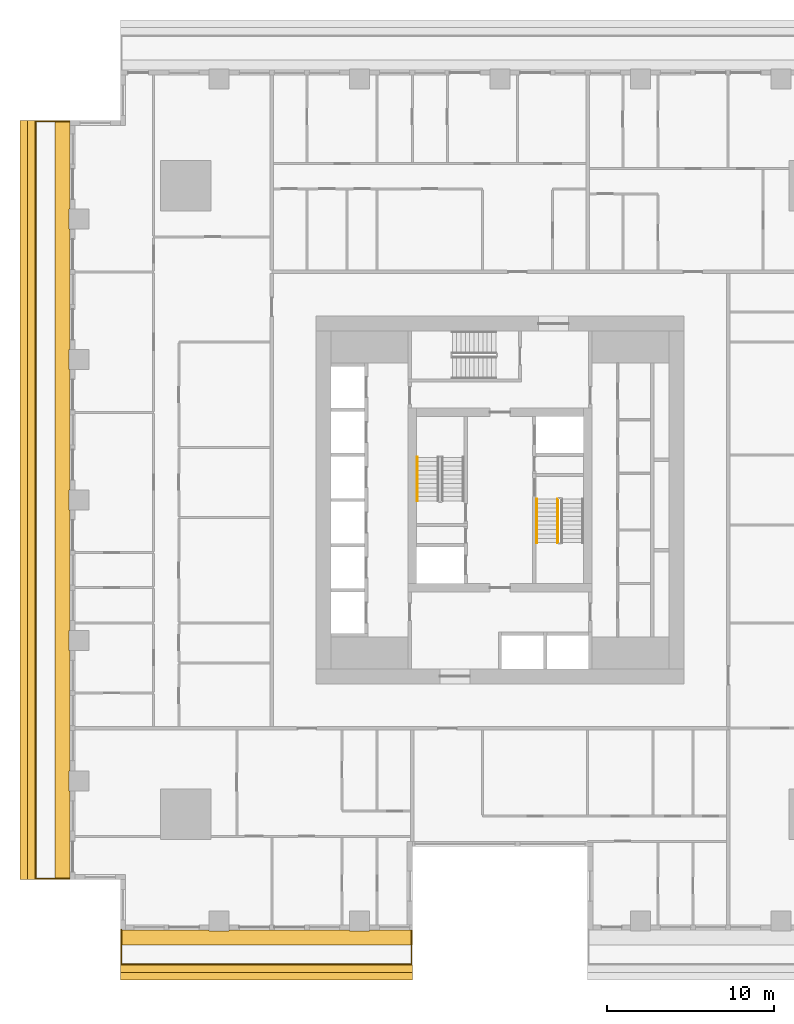
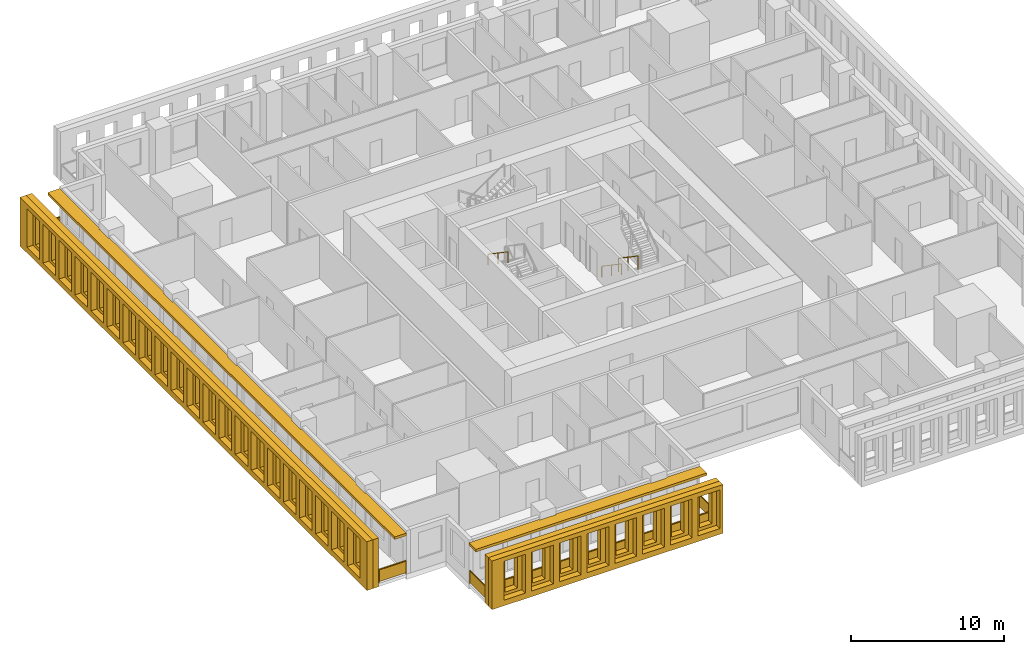
# One storey, part 11 of 15: 6 shading devices, 5 railings.
"""IFC4 building model written with IfcOpenShell, lengths in metres."""

import ifcopenshell
import ifcopenshell.guid

model = None  # the IFC model being written
_history = None  # IfcOwnerHistory: only IFC2X3 demands one
_inside = {}  # id of a spatial element -> (the spatial element, [elements in it])
_under = {}  # id of a project, library or spatial element -> (it, [spatial elements below it])
_declared = {}  # id of a project -> (the project, [libraries it declares])
_typed = {}  # id of a type object -> (the type object, [elements of that type])
_made_of = {}  # id of a material, layer set ... -> (it, [elements and type objects made of it])


def new_model(schema):
    """Start an empty IFC model of exactly this schema.

    Asked for "IFC4X3", IfcOpenShell would pick the latest addendum, in which some entities
    have other attributes; the version numbers below select the first issue.
    IFC2X3 requires an IfcOwnerHistory on every rooted entity: one is made here for all.
    """
    global model, _history
    if schema == "IFC4X3":
        model = ifcopenshell.file(schema_version=(4, 3, 0, 0))
    else:
        model = ifcopenshell.file(schema=schema)
    _inside.clear()
    _under.clear()
    _declared.clear()
    _typed.clear()
    _made_of.clear()
    _history = None
    if model.schema == "IFC2X3":
        org = make("IfcOrganization", Name="unknown")
        user = make(
            "IfcPersonAndOrganization",
            ThePerson=make("IfcPerson", FamilyName="unknown"),
            TheOrganization=org,
        )
        app = make(
            "IfcApplication",
            ApplicationDeveloper=org,
            Version="unknown",
            ApplicationFullName="unknown",
            ApplicationIdentifier="unknown",
        )
        _history = make(
            "IfcOwnerHistory",
            OwningUser=user,
            OwningApplication=app,
            ChangeAction="ADDED",
            CreationDate=0,
        )
    return model


def make(cls, **values):
    """One entity of the class cls with the attributes given. An attribute that is None is left unset."""
    return model.create_entity(
        cls, **{name: value for name, value in values.items() if value is not None}
    )


def rooted(cls, **values):
    """An entity with a GlobalId (a new one), such as an element, a storey or a relation."""
    return make(cls, GlobalId=ifcopenshell.guid.new(), OwnerHistory=_history, **values)


def si_unit(unit_type, name, prefix=None):
    """IfcSIUnit, for example si_unit("LENGTHUNIT", "METRE", prefix="MILLI")."""
    return make("IfcSIUnit", UnitType=unit_type, Prefix=prefix, Name=name)


def assignment(units):
    """IfcUnitAssignment: the units of a project."""
    return None if units is None else make("IfcUnitAssignment", Units=units)


def point(xyz):
    """IfcCartesianPoint."""
    return None if xyz is None else make("IfcCartesianPoint", Coordinates=xyz)


def direction(xyz):
    """IfcDirection."""
    return None if xyz is None else make("IfcDirection", DirectionRatios=xyz)


def frame(location, z_axis=None, x_axis=None):
    """IfcAxis2Placement3D, a coordinate frame: its origin and axes. An axis left out is left unset."""
    return make(
        "IfcAxis2Placement3D",
        Location=point(location),
        Axis=direction(z_axis),
        RefDirection=direction(x_axis),
    )


def frame_2d(location, x_axis=None):
    """IfcAxis2Placement2D, a coordinate frame in the plane: its origin and x axis."""
    return make(
        "IfcAxis2Placement2D", Location=point(location), RefDirection=direction(x_axis)
    )


def origin():
    """The frame at (0, 0, 0) with its axes left unset."""
    return frame((0.0, 0.0, 0.0))


def origin_2d():
    """The frame at (0, 0) in the plane with its x axis left unset."""
    return frame_2d((0.0, 0.0))


def place(relative_to, where):
    """IfcLocalPlacement: puts the frame where relative to a parent placement (None: the world)."""
    return make(
        "IfcLocalPlacement", PlacementRelTo=relative_to, RelativePlacement=where
    )


def context(
    kind, dimensions, precision=None, world=None, true_north=None, identifier=None
):
    """IfcGeometricRepresentationContext, for example the 3D "Model" context."""
    return make(
        "IfcGeometricRepresentationContext",
        ContextIdentifier=identifier,
        ContextType=kind,
        CoordinateSpaceDimension=dimensions,
        Precision=precision,
        WorldCoordinateSystem=world,
        TrueNorth=true_north,
    )


def subcontext(parent, identifier, kind, view, scale=None):
    """IfcGeometricRepresentationSubContext, for example "Body" below "Model"."""
    return make(
        "IfcGeometricRepresentationSubContext",
        ContextIdentifier=identifier,
        ContextType=kind,
        ParentContext=parent,
        TargetScale=scale,
        TargetView=view,
    )


def project(units=None, contexts=None):
    """IfcProject with its units and contexts."""
    return rooted(
        "IfcProject",
        Name="project",
        RepresentationContexts=contexts,
        UnitsInContext=assignment(units),
    )


def spatial(cls, under=None, at=None, **own):
    """A site, building, storey or space (cls), placed at a placement, below another one or the project."""
    s = rooted(cls, ObjectPlacement=at, **own)
    if under is not None:
        _under.setdefault(under.id(), (under, []))[1].append(s)
    return s


def polyline(points):
    """IfcPolyline through the points."""
    return make("IfcPolyline", Points=[point(p) for p in points])


def profile(cls, at=None, kind="AREA", **sizes):
    """A parametric profile (cls). Its sizes go by their IFC names, for example OverallWidth=200.0."""
    return make(cls, ProfileType=kind, Position=at, **sizes)


def rectangle(**sizes):
    """IfcRectangleProfileDef."""
    return profile("IfcRectangleProfileDef", **sizes)


def outline(outer, holes=None, kind="AREA"):
    """IfcArbitraryClosedProfileDef: a profile drawn as a closed curve; with holes, ...WithVoids."""
    if holes is None:
        return make("IfcArbitraryClosedProfileDef", ProfileType=kind, OuterCurve=outer)
    return make(
        "IfcArbitraryProfileDefWithVoids",
        ProfileType=kind,
        OuterCurve=outer,
        InnerCurves=holes,
    )


def extrude(swept, where, along, depth):
    """IfcExtrudedAreaSolid: the profile swept, set in the frame where, extruded along a direction by depth."""
    return make(
        "IfcExtrudedAreaSolid",
        SweptArea=swept,
        Position=where,
        ExtrudedDirection=direction(along),
        Depth=depth,
    )


def shape(context_of_items, identifier, shape_type, items):
    """IfcShapeRepresentation: the items that make up one representation, for example the "Body"."""
    return make(
        "IfcShapeRepresentation",
        ContextOfItems=context_of_items,
        RepresentationIdentifier=identifier,
        RepresentationType=shape_type,
        Items=items,
    )


def material(Name=None, Category=None):
    """IfcMaterial."""
    return make("IfcMaterial", Name=Name, Category=Category)


def layer(
    of_material, thickness, ventilated=None, Name=None, Category=None, Priority=None
):
    """IfcMaterialLayer: one layer of a wall or slab, of a material (None: an air gap)."""
    return make(
        "IfcMaterialLayer",
        Material=of_material,
        LayerThickness=thickness,
        IsVentilated=ventilated,
        Name=Name,
        Category=Category,
        Priority=Priority,
    )


def layer_set(layers, Name=None):
    """IfcMaterialLayerSet."""
    return make("IfcMaterialLayerSet", MaterialLayers=layers, LayerSetName=Name)


def made_of(thing, what):
    """Note that an element or type object is made of a material, layer set ...; save() writes the relation."""
    if what is not None:
        _made_of.setdefault(what.id(), (what, []))[1].append(thing)
    return thing


def type_object(cls, material=None, **own):
    """A type object (cls), such as IfcWallType, which elements share."""
    return made_of(rooted(cls, **own), material)


def element(
    cls,
    number,
    at=None,
    inside=None,
    cuts=None,
    type_object=None,
    material=None,
    context=None,
    identifier="Body",
    shape_type=None,
    held_by="IfcProductDefinitionShape",
    body=None,
    shapes=None,
    **own,
):
    """One element of the class cls, such as IfcWall. Its Tag is "e" and its number.

    at: its placement. inside: the storey or other place that contains it. cuts: it is an
    opening in that element (IfcRelVoidsElement). A single representation is given by context,
    identifier, shape_type and body (its items); several are given by shapes. held_by: the class
    of the entity that holds the representations. save() writes the other relations.
    """
    e = rooted(cls, Tag="e%d" % number, ObjectPlacement=at, **own)
    if body is not None:
        shapes = [shape(context, identifier, shape_type, body)]
    if shapes is not None:
        e.Representation = make(held_by, Representations=shapes)
    if inside is not None:
        _inside.setdefault(inside.id(), (inside, []))[1].append(e)
    if cuts is not None:
        rooted(
            "IfcRelVoidsElement", RelatingBuildingElement=cuts, RelatedOpeningElement=e
        )
    if type_object is not None:
        _typed.setdefault(type_object.id(), (type_object, []))[1].append(e)
    return made_of(e, material)


def aggregate(whole, parts):
    """IfcRelAggregates: a whole, such as a stair, and the parts it consists of."""
    return rooted("IfcRelAggregates", RelatingObject=whole, RelatedObjects=parts)


def save(model, path):
    """Write the relations noted so far, then the file.

    IfcRelAggregates (storeys below a building ...), IfcRelContainedInSpatialStructure (elements
    in a storey), IfcRelDefinesByType, IfcRelAssociatesMaterial and IfcRelDeclares: one each for
    every whole, place, type object, material and project.
    """
    for whole, parts in _under.values():
        aggregate(whole, parts)
    for where, things in _inside.values():
        rooted(
            "IfcRelContainedInSpatialStructure",
            RelatedElements=things,
            RelatingStructure=where,
        )
    for kind, things in _typed.values():
        rooted("IfcRelDefinesByType", RelatedObjects=things, RelatingType=kind)
    for what, things in _made_of.values():
        rooted("IfcRelAssociatesMaterial", RelatedObjects=things, RelatingMaterial=what)
    for by, libraries in _declared.values():
        rooted("IfcRelDeclares", RelatingContext=by, RelatedDefinitions=libraries)
    model.write(path)


model = new_model("IFC4")

# Units and contexts
model_context = context("Model", 3, precision=1e-05, world=origin(), true_north=direction((0.0, 1.0)))
body_context = subcontext(model_context, "Body", "Model", "MODEL_VIEW")
ifc_project = project(units=[si_unit("LENGTHUNIT", "METRE"), si_unit("AREAUNIT", "SQUARE_METRE"), si_unit("VOLUMEUNIT", "CUBIC_METRE"), si_unit("PLANEANGLEUNIT", "RADIAN"), si_unit("MASSUNIT", "GRAM", prefix="KILO")], contexts=[model_context])

# Site, building, storey
site_placement = place(None, origin())
site = spatial("IfcSite", under=ifc_project, at=site_placement, CompositionType="ELEMENT")
building_placement = place(site_placement, origin())
building = spatial("IfcBuilding", under=site, at=building_placement, Name="Khepri Terraces", CompositionType="ELEMENT")
storey_placement = place(building_placement, frame((0.0, 0.0, 38.699951171875)))
storey = spatial("IfcBuildingStorey", under=building, at=storey_placement, Name="L08", CompositionType="ELEMENT", Elevation=38.699951171875)

# Railings
ifc_material_1 = material(Name="Stainless steel grade 316", Category="steel")
railing_type_1 = type_object("IfcRailingType", Name="GRD-BAL-1100", PredefinedType="GUARDRAIL", material=ifc_material_1)
railing_1_placement = place(storey_placement, frame((-22.669921875, -25.719970703125, 0.0)))
element("IfcRailing", 1, at=railing_1_placement, inside=storey, type_object=railing_type_1, Name="Balcony guard L08 S", PredefinedType="GUARDRAIL", context=body_context, shape_type="SweptSolid", body=[
    extrude(rectangle(XDim=0.050048828125, YDim=0.06005859375, at=origin_2d()), frame((0.0, 0.0, 1.070068359375), z_axis=(0.0, -1.0, 0.0), x_axis=(1.0, 0.0, 0.0)), (0.0, 0.0, 1.0), 2.050048828125),
    extrude(rectangle(XDim=2.0, YDim=0.011962890625, at=origin_2d()), frame((0.0, -1.02490234375, 0.10009765625), z_axis=(0.0, 0.0, 1.0), x_axis=(0.0, -1.0, 0.0)), (0.0, 0.0, 1.0), 0.93994140625),
    extrude(rectangle(XDim=0.050048828125, YDim=0.06005859375, at=origin_2d()), frame((0.0, -2.050048828125, 1.070068359375), z_axis=(1.0, 0.0, 0.0), x_axis=(0.0, 1.0, 0.0)), (0.0, 0.0, 1.0), 17.369873046875),
    extrude(rectangle(XDim=2.12109375, YDim=0.011962890625, at=origin_2d()), frame((1.085693359375, -2.050048828125, 0.10009765625), z_axis=(0.0, 0.0, 1.0), x_axis=(1.0, 0.0, 0.0)), (0.0, 0.0, 1.0), 0.93994140625),
    extrude(rectangle(XDim=2.12109375, YDim=0.011962890625, at=origin_2d()), frame((3.2568359375, -2.050048828125, 0.10009765625), z_axis=(0.0, 0.0, 1.0), x_axis=(1.0, 0.0, 0.0)), (0.0, 0.0, 1.0), 0.93994140625),
    extrude(rectangle(XDim=2.12109375, YDim=0.011962890625, at=origin_2d()), frame((5.427978515625, -2.050048828125, 0.10009765625), z_axis=(0.0, 0.0, 1.0), x_axis=(1.0, 0.0, 0.0)), (0.0, 0.0, 1.0), 0.93994140625),
    extrude(rectangle(XDim=2.12109375, YDim=0.011962890625, at=origin_2d()), frame((7.599365234375, -2.050048828125, 0.10009765625), z_axis=(0.0, 0.0, 1.0), x_axis=(1.0, 0.0, 0.0)), (0.0, 0.0, 1.0), 0.93994140625),
    extrude(rectangle(XDim=2.12109375, YDim=0.011962890625, at=origin_2d()), frame((9.7705078125, -2.050048828125, 0.10009765625), z_axis=(0.0, 0.0, 1.0), x_axis=(1.0, 0.0, 0.0)), (0.0, 0.0, 1.0), 0.93994140625),
    extrude(rectangle(XDim=2.12109375, YDim=0.011962890625, at=origin_2d()), frame((11.94189453125, -2.050048828125, 0.10009765625), z_axis=(0.0, 0.0, 1.0), x_axis=(1.0, 0.0, 0.0)), (0.0, 0.0, 1.0), 0.93994140625),
    extrude(rectangle(XDim=2.12109375, YDim=0.011962890625, at=origin_2d()), frame((14.113037109375, -2.050048828125, 0.10009765625), z_axis=(0.0, 0.0, 1.0), x_axis=(1.0, 0.0, 0.0)), (0.0, 0.0, 1.0), 0.93994140625),
    extrude(rectangle(XDim=2.12109375, YDim=0.011962890625, at=origin_2d()), frame((16.2841796875, -2.050048828125, 0.10009765625), z_axis=(0.0, 0.0, 1.0), x_axis=(1.0, 0.0, 0.0)), (0.0, 0.0, 1.0), 0.93994140625),
    extrude(rectangle(XDim=0.050048828125, YDim=0.06005859375, at=origin_2d()), frame((17.369873046875, -2.050048828125, 1.070068359375), z_axis=(0.0, 1.0, 0.0), x_axis=(-1.0, 0.0, 0.0)), (0.0, 0.0, 1.0), 2.050048828125),
    extrude(rectangle(XDim=2.0, YDim=0.011962890625, at=origin_2d()), frame((17.369873046875, -1.02490234375, 0.10009765625), z_axis=(0.0, 0.0, 1.0), x_axis=(0.0, 1.0, 0.0)), (0.0, 0.0, 1.0), 0.93994140625),
    extrude(rectangle(XDim=0.050048828125, YDim=0.050048828125, at=origin_2d()), origin(), (0.0, 0.0, 1.0), 1.0400390625),
    extrude(rectangle(XDim=0.050048828125, YDim=0.050048828125, at=origin_2d()), frame((0.0, -2.050048828125, 0.0)), (0.0, 0.0, 1.0), 1.0400390625),
    extrude(rectangle(XDim=0.050048828125, YDim=0.050048828125, at=origin_2d()), frame((2.171142578125, -2.050048828125, 0.0)), (0.0, 0.0, 1.0), 1.0400390625),
    extrude(rectangle(XDim=0.050048828125, YDim=0.050048828125, at=origin_2d()), frame((4.342529296875, -2.050048828125, 0.0)), (0.0, 0.0, 1.0), 1.0400390625),
    extrude(rectangle(XDim=0.050048828125, YDim=0.050048828125, at=origin_2d()), frame((6.513671875, -2.050048828125, 0.0)), (0.0, 0.0, 1.0), 1.0400390625),
    extrude(rectangle(XDim=0.050048828125, YDim=0.050048828125, at=origin_2d()), frame((8.68505859375, -2.050048828125, 0.0)), (0.0, 0.0, 1.0), 1.0400390625),
    extrude(rectangle(XDim=0.050048828125, YDim=0.050048828125, at=origin_2d()), frame((10.856201171875, -2.050048828125, 0.0)), (0.0, 0.0, 1.0), 1.0400390625),
    extrude(rectangle(XDim=0.050048828125, YDim=0.050048828125, at=origin_2d()), frame((13.02734375, -2.050048828125, 0.0)), (0.0, 0.0, 1.0), 1.0400390625),
    extrude(rectangle(XDim=0.050048828125, YDim=0.050048828125, at=origin_2d()), frame((15.19873046875, -2.050048828125, 0.0)), (0.0, 0.0, 1.0), 1.0400390625),
    extrude(rectangle(XDim=0.050048828125, YDim=0.050048828125, at=origin_2d()), frame((17.369873046875, -2.050048828125, 0.0)), (0.0, 0.0, 1.0), 1.0400390625),
    extrude(rectangle(XDim=0.050048828125, YDim=0.050048828125, at=origin_2d()), frame((17.369873046875, 0.0, 0.0)), (0.0, 0.0, 1.0), 1.0400390625),
])
railing_2_placement = place(storey_placement, frame((-25.719970703125, 22.669921875, 0.0)))
element("IfcRailing", 2, at=railing_2_placement, inside=storey, type_object=railing_type_1, Name="Balcony guard L08 W", PredefinedType="GUARDRAIL", context=body_context, shape_type="SweptSolid", body=[
    extrude(rectangle(XDim=0.050048828125, YDim=0.06005859375, at=origin_2d()), frame((0.0, 0.0, 1.070068359375), z_axis=(-1.0, 0.0, 0.0), x_axis=(0.0, -1.0, 0.0)), (0.0, 0.0, 1.0), 2.050048828125),
    extrude(rectangle(XDim=2.0, YDim=0.011962890625, at=origin_2d()), frame((-1.02490234375, 0.0, 0.10009765625), z_axis=(0.0, 0.0, 1.0), x_axis=(-1.0, 0.0, 0.0)), (0.0, 0.0, 1.0), 0.93994140625),
    extrude(rectangle(XDim=0.050048828125, YDim=0.06005859375, at=origin_2d()), frame((-2.050048828125, 0.0, 1.070068359375), z_axis=(0.0, -1.0, 0.0), x_axis=(1.0, 0.0, 0.0)), (0.0, 0.0, 1.0), 45.33984375),
    extrude(rectangle(XDim=2.336181640625, YDim=0.011962890625, at=origin_2d()), frame((-2.050048828125, -1.193115234375, 0.10009765625), z_axis=(0.0, 0.0, 1.0), x_axis=(0.0, -1.0, 0.0)), (0.0, 0.0, 1.0), 0.93994140625),
    extrude(rectangle(XDim=2.336181640625, YDim=0.011962890625, at=origin_2d()), frame((-2.050048828125, -3.579345703125, 0.10009765625), z_axis=(0.0, 0.0, 1.0), x_axis=(0.0, -1.0, 0.0)), (0.0, 0.0, 1.0), 0.93994140625),
    extrude(rectangle(XDim=2.336181640625, YDim=0.011962890625, at=origin_2d()), frame((-2.050048828125, -5.9658203125, 0.10009765625), z_axis=(0.0, 0.0, 1.0), x_axis=(0.0, -1.0, 0.0)), (0.0, 0.0, 1.0), 0.93994140625),
    extrude(rectangle(XDim=2.336181640625, YDim=0.011962890625, at=origin_2d()), frame((-2.050048828125, -8.35205078125, 0.10009765625), z_axis=(0.0, 0.0, 1.0), x_axis=(0.0, -1.0, 0.0)), (0.0, 0.0, 1.0), 0.93994140625),
    extrude(rectangle(XDim=2.336181640625, YDim=0.011962890625, at=origin_2d()), frame((-2.050048828125, -10.73828125, 0.10009765625), z_axis=(0.0, 0.0, 1.0), x_axis=(0.0, -1.0, 0.0)), (0.0, 0.0, 1.0), 0.93994140625),
    extrude(rectangle(XDim=2.336181640625, YDim=0.011962890625, at=origin_2d()), frame((-2.050048828125, -13.124755859375, 0.10009765625), z_axis=(0.0, 0.0, 1.0), x_axis=(0.0, -1.0, 0.0)), (0.0, 0.0, 1.0), 0.93994140625),
    extrude(rectangle(XDim=2.336181640625, YDim=0.011962890625, at=origin_2d()), frame((-2.050048828125, -15.510986328125, 0.10009765625), z_axis=(0.0, 0.0, 1.0), x_axis=(0.0, -1.0, 0.0)), (0.0, 0.0, 1.0), 0.93994140625),
    extrude(rectangle(XDim=2.336181640625, YDim=0.011962890625, at=origin_2d()), frame((-2.050048828125, -17.897216796875, 0.10009765625), z_axis=(0.0, 0.0, 1.0), x_axis=(0.0, -1.0, 0.0)), (0.0, 0.0, 1.0), 0.93994140625),
    extrude(rectangle(XDim=2.336181640625, YDim=0.011962890625, at=origin_2d()), frame((-2.050048828125, -20.28369140625, 0.10009765625), z_axis=(0.0, 0.0, 1.0), x_axis=(0.0, -1.0, 0.0)), (0.0, 0.0, 1.0), 0.93994140625),
    extrude(rectangle(XDim=2.336181640625, YDim=0.011962890625, at=origin_2d()), frame((-2.050048828125, -22.669921875, 0.10009765625), z_axis=(0.0, 0.0, 1.0), x_axis=(0.0, -1.0, 0.0)), (0.0, 0.0, 1.0), 0.93994140625),
    extrude(rectangle(XDim=2.336181640625, YDim=0.011962890625, at=origin_2d()), frame((-2.050048828125, -25.05615234375, 0.10009765625), z_axis=(0.0, 0.0, 1.0), x_axis=(0.0, -1.0, 0.0)), (0.0, 0.0, 1.0), 0.93994140625),
    extrude(rectangle(XDim=2.336181640625, YDim=0.011962890625, at=origin_2d()), frame((-2.050048828125, -27.442626953125, 0.10009765625), z_axis=(0.0, 0.0, 1.0), x_axis=(0.0, -1.0, 0.0)), (0.0, 0.0, 1.0), 0.93994140625),
    extrude(rectangle(XDim=2.336181640625, YDim=0.011962890625, at=origin_2d()), frame((-2.050048828125, -29.828857421875, 0.10009765625), z_axis=(0.0, 0.0, 1.0), x_axis=(0.0, -1.0, 0.0)), (0.0, 0.0, 1.0), 0.93994140625),
    extrude(rectangle(XDim=2.336181640625, YDim=0.011962890625, at=origin_2d()), frame((-2.050048828125, -32.215087890625, 0.10009765625), z_axis=(0.0, 0.0, 1.0), x_axis=(0.0, -1.0, 0.0)), (0.0, 0.0, 1.0), 0.93994140625),
    extrude(rectangle(XDim=2.336181640625, YDim=0.011962890625, at=origin_2d()), frame((-2.050048828125, -34.6015625, 0.10009765625), z_axis=(0.0, 0.0, 1.0), x_axis=(0.0, -1.0, 0.0)), (0.0, 0.0, 1.0), 0.93994140625),
    extrude(rectangle(XDim=2.336181640625, YDim=0.011962890625, at=origin_2d()), frame((-2.050048828125, -36.98779296875, 0.10009765625), z_axis=(0.0, 0.0, 1.0), x_axis=(0.0, -1.0, 0.0)), (0.0, 0.0, 1.0), 0.93994140625),
    extrude(rectangle(XDim=2.336181640625, YDim=0.011962890625, at=origin_2d()), frame((-2.050048828125, -39.3740234375, 0.10009765625), z_axis=(0.0, 0.0, 1.0), x_axis=(0.0, -1.0, 0.0)), (0.0, 0.0, 1.0), 0.93994140625),
    extrude(rectangle(XDim=2.336181640625, YDim=0.011962890625, at=origin_2d()), frame((-2.050048828125, -41.760498046875, 0.10009765625), z_axis=(0.0, 0.0, 1.0), x_axis=(0.0, -1.0, 0.0)), (0.0, 0.0, 1.0), 0.93994140625),
    extrude(rectangle(XDim=2.336181640625, YDim=0.011962890625, at=origin_2d()), frame((-2.050048828125, -44.146728515625, 0.10009765625), z_axis=(0.0, 0.0, 1.0), x_axis=(0.0, -1.0, 0.0)), (0.0, 0.0, 1.0), 0.93994140625),
    extrude(rectangle(XDim=0.050048828125, YDim=0.06005859375, at=origin_2d()), frame((-2.050048828125, -45.33984375, 1.070068359375), z_axis=(1.0, 0.0, 0.0), x_axis=(0.0, 1.0, 0.0)), (0.0, 0.0, 1.0), 2.050048828125),
    extrude(rectangle(XDim=2.0, YDim=0.011962890625, at=origin_2d()), frame((-1.02490234375, -45.33984375, 0.10009765625), z_axis=(0.0, 0.0, 1.0), x_axis=(1.0, 0.0, 0.0)), (0.0, 0.0, 1.0), 0.93994140625),
    extrude(rectangle(XDim=0.050048828125, YDim=0.050048828125, at=origin_2d()), origin(), (0.0, 0.0, 1.0), 1.0400390625),
    extrude(rectangle(XDim=0.050048828125, YDim=0.050048828125, at=origin_2d()), frame((-2.050048828125, 0.0, 0.0)), (0.0, 0.0, 1.0), 1.0400390625),
    extrude(rectangle(XDim=0.050048828125, YDim=0.050048828125, at=origin_2d()), frame((-2.050048828125, -2.38623046875, 0.0)), (0.0, 0.0, 1.0), 1.0400390625),
    extrude(rectangle(XDim=0.050048828125, YDim=0.050048828125, at=origin_2d()), frame((-2.050048828125, -4.772705078125, 0.0)), (0.0, 0.0, 1.0), 1.0400390625),
    extrude(rectangle(XDim=0.050048828125, YDim=0.050048828125, at=origin_2d()), frame((-2.050048828125, -7.158935546875, 0.0)), (0.0, 0.0, 1.0), 1.0400390625),
    extrude(rectangle(XDim=0.050048828125, YDim=0.050048828125, at=origin_2d()), frame((-2.050048828125, -9.545166015625, 0.0)), (0.0, 0.0, 1.0), 1.0400390625),
    extrude(rectangle(XDim=0.050048828125, YDim=0.050048828125, at=origin_2d()), frame((-2.050048828125, -11.931640625, 0.0)), (0.0, 0.0, 1.0), 1.0400390625),
    extrude(rectangle(XDim=0.050048828125, YDim=0.050048828125, at=origin_2d()), frame((-2.050048828125, -14.31787109375, 0.0)), (0.0, 0.0, 1.0), 1.0400390625),
    extrude(rectangle(XDim=0.050048828125, YDim=0.050048828125, at=origin_2d()), frame((-2.050048828125, -16.7041015625, 0.0)), (0.0, 0.0, 1.0), 1.0400390625),
    extrude(rectangle(XDim=0.050048828125, YDim=0.050048828125, at=origin_2d()), frame((-2.050048828125, -19.090576171875, 0.0)), (0.0, 0.0, 1.0), 1.0400390625),
    extrude(rectangle(XDim=0.050048828125, YDim=0.050048828125, at=origin_2d()), frame((-2.050048828125, -21.476806640625, 0.0)), (0.0, 0.0, 1.0), 1.0400390625),
    extrude(rectangle(XDim=0.050048828125, YDim=0.050048828125, at=origin_2d()), frame((-2.050048828125, -23.863037109375, 0.0)), (0.0, 0.0, 1.0), 1.0400390625),
    extrude(rectangle(XDim=0.050048828125, YDim=0.050048828125, at=origin_2d()), frame((-2.050048828125, -26.249267578125, 0.0)), (0.0, 0.0, 1.0), 1.0400390625),
    extrude(rectangle(XDim=0.050048828125, YDim=0.050048828125, at=origin_2d()), frame((-2.050048828125, -28.6357421875, 0.0)), (0.0, 0.0, 1.0), 1.0400390625),
    extrude(rectangle(XDim=0.050048828125, YDim=0.050048828125, at=origin_2d()), frame((-2.050048828125, -31.02197265625, 0.0)), (0.0, 0.0, 1.0), 1.0400390625),
    extrude(rectangle(XDim=0.050048828125, YDim=0.050048828125, at=origin_2d()), frame((-2.050048828125, -33.408203125, 0.0)), (0.0, 0.0, 1.0), 1.0400390625),
    extrude(rectangle(XDim=0.050048828125, YDim=0.050048828125, at=origin_2d()), frame((-2.050048828125, -35.794677734375, 0.0)), (0.0, 0.0, 1.0), 1.0400390625),
    extrude(rectangle(XDim=0.050048828125, YDim=0.050048828125, at=origin_2d()), frame((-2.050048828125, -38.180908203125, 0.0)), (0.0, 0.0, 1.0), 1.0400390625),
    extrude(rectangle(XDim=0.050048828125, YDim=0.050048828125, at=origin_2d()), frame((-2.050048828125, -40.567138671875, 0.0)), (0.0, 0.0, 1.0), 1.0400390625),
    extrude(rectangle(XDim=0.050048828125, YDim=0.050048828125, at=origin_2d()), frame((-2.050048828125, -42.95361328125, 0.0)), (0.0, 0.0, 1.0), 1.0400390625),
    extrude(rectangle(XDim=0.050048828125, YDim=0.050048828125, at=origin_2d()), frame((-2.050048828125, -45.33984375, 0.0)), (0.0, 0.0, 1.0), 1.0400390625),
    extrude(rectangle(XDim=0.050048828125, YDim=0.050048828125, at=origin_2d()), frame((0.0, -45.33984375, 0.0)), (0.0, 0.0, 1.0), 1.0400390625),
])
ifc_material_2 = material(Name="Stainless steel 316", Category="steel")
railing_type_2 = type_object("IfcRailingType", Name="RL-CORE-GUARD", PredefinedType="GUARDRAIL", material=ifc_material_2)
railing_3_placement = place(storey_placement, frame((3.449951171875, 0.050048828125, 0.17724609375)))
element("IfcRailing", 3, at=railing_3_placement, inside=storey, type_object=railing_type_2, Name="L08 ST-2 stair guard 1", PredefinedType="GUARDRAIL", context=body_context, shape_type="SweptSolid", body=[
    extrude(rectangle(XDim=0.050048828125, YDim=0.06005859375, at=origin_2d()), frame((0.0, 0.0, 1.070068359375), z_axis=(0.0, -0.826240473404, 0.563317565952), x_axis=(1.0, 0.0, 0.0)), (0.0, 0.0, 1.0), 3.14697265625),
    extrude(rectangle(XDim=0.050048828125, YDim=0.050048828125, at=origin_2d()), origin(), (0.0, 0.0, 1.0), 1.0400390625),
    extrude(rectangle(XDim=0.050048828125, YDim=0.050048828125, at=origin_2d()), frame((0.0, -1.300048828125, 0.88623046875)), (0.0, 0.0, 1.0), 1.0400390625),
    extrude(rectangle(XDim=0.050048828125, YDim=0.050048828125, at=origin_2d()), frame((0.0, -2.60009765625, 1.772705078125)), (0.0, 0.0, 1.0), 1.0400390625),
])
railing_type_3 = type_object("IfcRailingType", Name="RL-CORE-HANDRAIL", PredefinedType="HANDRAIL", material=ifc_material_2)
for number, where, name in (
    (4, (-4.949951171875, 2.550048828125, 2.12744140625), "L08 ST-1 stair handrail 2"),
    (5, (2.199951171875, 0.050048828125, 0.17724609375), "L08 ST-2 stair handrail 1"),
):
    element("IfcRailing", number, at=place(storey_placement, frame(where)), inside=storey, type_object=railing_type_3, Name=name, PredefinedType="HANDRAIL", context=body_context, shape_type="SweptSolid", body=[
        extrude(rectangle(XDim=0.050048828125, YDim=0.050048828125, at=origin_2d()), frame((0.0, 0.0, 0.875), z_axis=(0.0, -0.826240473404, 0.563317565952), x_axis=(1.0, 0.0, 0.0)), (0.0, 0.0, 1.0), 3.14697265625),
        extrude(rectangle(XDim=0.050048828125, YDim=0.050048828125, at=origin_2d()), origin(), (0.0, 0.0, 1.0), 0.849853515625),
        extrude(rectangle(XDim=0.050048828125, YDim=0.050048828125, at=origin_2d()), frame((0.0, -1.300048828125, 0.88623046875)), (0.0, 0.0, 1.0), 0.849853515625),
        extrude(rectangle(XDim=0.050048828125, YDim=0.050048828125, at=origin_2d()), frame((0.0, -2.60009765625, 1.772705078125)), (0.0, 0.0, 1.0), 0.849853515625),
    ])

# Shading devices
ifc_material_3 = material(Name="Precast concrete C50/60 warm stone", Category="masonry")
shading_device_type_1 = type_object("IfcShadingDeviceType", Name="SCR-CELL-INNER-450", PredefinedType="USERDEFINED", material=ifc_material_3)
shading_device_1_placement = place(storey_placement, frame((-22.719970703125, -27.820068359375, -0.25), z_axis=(0.0, -1.0, 0.0), x_axis=(1.0, 0.0, 0.0)))
element("IfcShadingDevice", 6, at=shading_device_1_placement, inside=storey, type_object=shading_device_type_1, Name="Cell screen L08 S in", ObjectType="SCREEN", PredefinedType="USERDEFINED", context=body_context, shape_type="SweptSolid", body=[
    extrude(outline(polyline([(0.0, 0.0), (17.469970703125, 0.0), (17.469970703125, 3.89990234375), (0.0, 3.89990234375), (0.0, 0.0)]), holes=[polyline([(1.24755859375, 0.699951171875), (2.1923828125, 0.699951171875), (2.1923828125, 3.300048828125), (1.24755859375, 3.300048828125), (1.24755859375, 0.699951171875)]), polyline([(3.347412109375, 0.699951171875), (4.29248046875, 0.699951171875), (4.29248046875, 3.300048828125), (3.347412109375, 3.300048828125), (3.347412109375, 0.699951171875)]), polyline([(5.447509765625, 0.699951171875), (6.392578125, 0.699951171875), (6.392578125, 3.300048828125), (5.447509765625, 3.300048828125), (5.447509765625, 0.699951171875)]), polyline([(7.547607421875, 0.699951171875), (8.492431640625, 0.699951171875), (8.492431640625, 3.300048828125), (7.547607421875, 3.300048828125), (7.547607421875, 0.699951171875)]), polyline([(9.6474609375, 0.699951171875), (10.592529296875, 0.699951171875), (10.592529296875, 3.300048828125), (9.6474609375, 3.300048828125), (9.6474609375, 0.699951171875)]), polyline([(11.74755859375, 0.699951171875), (12.6923828125, 0.699951171875), (12.6923828125, 3.300048828125), (11.74755859375, 3.300048828125), (11.74755859375, 0.699951171875)]), polyline([(13.847412109375, 0.699951171875), (14.79248046875, 0.699951171875), (14.79248046875, 3.300048828125), (13.847412109375, 3.300048828125), (13.847412109375, 0.699951171875)]), polyline([(15.947509765625, 0.699951171875), (16.892578125, 0.699951171875), (16.892578125, 3.300048828125), (15.947509765625, 3.300048828125), (15.947509765625, 0.699951171875)])]), origin(), (0.0, 0.0, 1.0), 0.449951171875),
])
shading_device_2_placement = place(storey_placement, frame((-27.820068359375, 22.719970703125, -0.25), z_axis=(-1.0, 0.0, 0.0), x_axis=(0.0, -1.0, 0.0)))
element("IfcShadingDevice", 7, at=shading_device_2_placement, inside=storey, type_object=shading_device_type_1, Name="Cell screen L08 W in", ObjectType="SCREEN", PredefinedType="USERDEFINED", context=body_context, shape_type="SweptSolid", body=[
    extrude(outline(polyline([(0.0, 0.0), (45.43994140625, 0.0), (45.43994140625, 3.89990234375), (0.0, 3.89990234375), (0.0, 0.0)]), holes=[polyline([(1.24755859375, 0.699951171875), (2.1923828125, 0.699951171875), (2.1923828125, 3.300048828125), (1.24755859375, 3.300048828125), (1.24755859375, 0.699951171875)]), polyline([(3.347412109375, 0.699951171875), (4.29248046875, 0.699951171875), (4.29248046875, 3.300048828125), (3.347412109375, 3.300048828125), (3.347412109375, 0.699951171875)]), polyline([(5.447509765625, 0.699951171875), (6.392578125, 0.699951171875), (6.392578125, 3.300048828125), (5.447509765625, 3.300048828125), (5.447509765625, 0.699951171875)]), polyline([(7.547607421875, 0.699951171875), (8.492431640625, 0.699951171875), (8.492431640625, 3.300048828125), (7.547607421875, 3.300048828125), (7.547607421875, 0.699951171875)]), polyline([(9.6474609375, 0.699951171875), (10.592529296875, 0.699951171875), (10.592529296875, 3.300048828125), (9.6474609375, 3.300048828125), (9.6474609375, 0.699951171875)]), polyline([(11.74755859375, 0.699951171875), (12.6923828125, 0.699951171875), (12.6923828125, 3.300048828125), (11.74755859375, 3.300048828125), (11.74755859375, 0.699951171875)]), polyline([(13.847412109375, 0.699951171875), (14.79248046875, 0.699951171875), (14.79248046875, 3.300048828125), (13.847412109375, 3.300048828125), (13.847412109375, 0.699951171875)]), polyline([(15.947509765625, 0.699951171875), (16.892578125, 0.699951171875), (16.892578125, 3.300048828125), (15.947509765625, 3.300048828125), (15.947509765625, 0.699951171875)]), polyline([(18.047607421875, 0.699951171875), (18.992431640625, 0.699951171875), (18.992431640625, 3.300048828125), (18.047607421875, 3.300048828125), (18.047607421875, 0.699951171875)]), polyline([(20.1474609375, 0.699951171875), (21.092529296875, 0.699951171875), (21.092529296875, 3.300048828125), (20.1474609375, 3.300048828125), (20.1474609375, 0.699951171875)]), polyline([(22.24755859375, 0.699951171875), (23.1923828125, 0.699951171875), (23.1923828125, 3.300048828125), (22.24755859375, 3.300048828125), (22.24755859375, 0.699951171875)]), polyline([(24.347412109375, 0.699951171875), (25.29248046875, 0.699951171875), (25.29248046875, 3.300048828125), (24.347412109375, 3.300048828125), (24.347412109375, 0.699951171875)]), polyline([(26.447509765625, 0.699951171875), (27.392578125, 0.699951171875), (27.392578125, 3.300048828125), (26.447509765625, 3.300048828125), (26.447509765625, 0.699951171875)]), polyline([(28.547607421875, 0.699951171875), (29.492431640625, 0.699951171875), (29.492431640625, 3.300048828125), (28.547607421875, 3.300048828125), (28.547607421875, 0.699951171875)]), polyline([(30.6474609375, 0.699951171875), (31.592529296875, 0.699951171875), (31.592529296875, 3.300048828125), (30.6474609375, 3.300048828125), (30.6474609375, 0.699951171875)]), polyline([(32.74755859375, 0.699951171875), (33.6923828125, 0.699951171875), (33.6923828125, 3.300048828125), (32.74755859375, 3.300048828125), (32.74755859375, 0.699951171875)]), polyline([(34.847412109375, 0.699951171875), (35.79248046875, 0.699951171875), (35.79248046875, 3.300048828125), (34.847412109375, 3.300048828125), (34.847412109375, 0.699951171875)]), polyline([(36.947509765625, 0.699951171875), (37.892578125, 0.699951171875), (37.892578125, 3.300048828125), (36.947509765625, 3.300048828125), (36.947509765625, 0.699951171875)]), polyline([(39.047607421875, 0.699951171875), (39.992431640625, 0.699951171875), (39.992431640625, 3.300048828125), (39.047607421875, 3.300048828125), (39.047607421875, 0.699951171875)]), polyline([(41.1474609375, 0.699951171875), (42.092529296875, 0.699951171875), (42.092529296875, 3.300048828125), (41.1474609375, 3.300048828125), (41.1474609375, 0.699951171875)]), polyline([(43.24755859375, 0.699951171875), (44.1923828125, 0.699951171875), (44.1923828125, 3.300048828125), (43.24755859375, 3.300048828125), (43.24755859375, 0.699951171875)])]), origin(), (0.0, 0.0, 1.0), 0.449951171875),
])
shading_device_type_2 = type_object("IfcShadingDeviceType", Name="SCR-CELL-OUTER-450", PredefinedType="USERDEFINED", material=ifc_material_3)
shading_device_3_placement = place(storey_placement, frame((-22.719970703125, -28.27001953125, -0.25), z_axis=(0.0, -1.0, 0.0), x_axis=(1.0, 0.0, 0.0)))
element("IfcShadingDevice", 8, at=shading_device_3_placement, inside=storey, type_object=shading_device_type_2, Name="Cell screen L08 S out", ObjectType="SCREEN", PredefinedType="USERDEFINED", context=body_context, shape_type="SweptSolid", body=[
    extrude(outline(polyline([(0.0, 0.0), (17.469970703125, 0.0), (17.469970703125, 3.89990234375), (0.0, 3.89990234375), (0.0, 0.0)]), holes=[polyline([(0.8974609375, 0.449951171875), (2.54248046875, 0.449951171875), (2.54248046875, 3.550048828125), (0.8974609375, 3.550048828125), (0.8974609375, 0.449951171875)]), polyline([(2.99755859375, 0.449951171875), (4.642578125, 0.449951171875), (4.642578125, 3.550048828125), (2.99755859375, 3.550048828125), (2.99755859375, 0.449951171875)]), polyline([(5.097412109375, 0.449951171875), (6.742431640625, 0.449951171875), (6.742431640625, 3.550048828125), (5.097412109375, 3.550048828125), (5.097412109375, 0.449951171875)]), polyline([(7.197509765625, 0.449951171875), (8.842529296875, 0.449951171875), (8.842529296875, 3.550048828125), (7.197509765625, 3.550048828125), (7.197509765625, 0.449951171875)]), polyline([(9.297607421875, 0.449951171875), (10.9423828125, 0.449951171875), (10.9423828125, 3.550048828125), (9.297607421875, 3.550048828125), (9.297607421875, 0.449951171875)]), polyline([(11.3974609375, 0.449951171875), (13.04248046875, 0.449951171875), (13.04248046875, 3.550048828125), (11.3974609375, 3.550048828125), (11.3974609375, 0.449951171875)]), polyline([(13.49755859375, 0.449951171875), (15.142578125, 0.449951171875), (15.142578125, 3.550048828125), (13.49755859375, 3.550048828125), (13.49755859375, 0.449951171875)]), polyline([(15.597412109375, 0.449951171875), (17.242431640625, 0.449951171875), (17.242431640625, 3.550048828125), (15.597412109375, 3.550048828125), (15.597412109375, 0.449951171875)])]), origin(), (0.0, 0.0, 1.0), 0.449951171875),
])
shading_device_4_placement = place(storey_placement, frame((-28.27001953125, 22.719970703125, -0.25), z_axis=(-1.0, 0.0, 0.0), x_axis=(0.0, -1.0, 0.0)))
element("IfcShadingDevice", 9, at=shading_device_4_placement, inside=storey, type_object=shading_device_type_2, Name="Cell screen L08 W out", ObjectType="SCREEN", PredefinedType="USERDEFINED", context=body_context, shape_type="SweptSolid", body=[
    extrude(outline(polyline([(0.0, 0.0), (45.43994140625, 0.0), (45.43994140625, 3.89990234375), (0.0, 3.89990234375), (0.0, 0.0)]), holes=[polyline([(0.8974609375, 0.449951171875), (2.54248046875, 0.449951171875), (2.54248046875, 3.550048828125), (0.8974609375, 3.550048828125), (0.8974609375, 0.449951171875)]), polyline([(2.99755859375, 0.449951171875), (4.642578125, 0.449951171875), (4.642578125, 3.550048828125), (2.99755859375, 3.550048828125), (2.99755859375, 0.449951171875)]), polyline([(5.097412109375, 0.449951171875), (6.742431640625, 0.449951171875), (6.742431640625, 3.550048828125), (5.097412109375, 3.550048828125), (5.097412109375, 0.449951171875)]), polyline([(7.197509765625, 0.449951171875), (8.842529296875, 0.449951171875), (8.842529296875, 3.550048828125), (7.197509765625, 3.550048828125), (7.197509765625, 0.449951171875)]), polyline([(9.297607421875, 0.449951171875), (10.9423828125, 0.449951171875), (10.9423828125, 3.550048828125), (9.297607421875, 3.550048828125), (9.297607421875, 0.449951171875)]), polyline([(11.3974609375, 0.449951171875), (13.04248046875, 0.449951171875), (13.04248046875, 3.550048828125), (11.3974609375, 3.550048828125), (11.3974609375, 0.449951171875)]), polyline([(13.49755859375, 0.449951171875), (15.142578125, 0.449951171875), (15.142578125, 3.550048828125), (13.49755859375, 3.550048828125), (13.49755859375, 0.449951171875)]), polyline([(15.597412109375, 0.449951171875), (17.242431640625, 0.449951171875), (17.242431640625, 3.550048828125), (15.597412109375, 3.550048828125), (15.597412109375, 0.449951171875)]), polyline([(17.697509765625, 0.449951171875), (19.342529296875, 0.449951171875), (19.342529296875, 3.550048828125), (17.697509765625, 3.550048828125), (17.697509765625, 0.449951171875)]), polyline([(19.797607421875, 0.449951171875), (21.4423828125, 0.449951171875), (21.4423828125, 3.550048828125), (19.797607421875, 3.550048828125), (19.797607421875, 0.449951171875)]), polyline([(21.8974609375, 0.449951171875), (23.54248046875, 0.449951171875), (23.54248046875, 3.550048828125), (21.8974609375, 3.550048828125), (21.8974609375, 0.449951171875)]), polyline([(23.99755859375, 0.449951171875), (25.642578125, 0.449951171875), (25.642578125, 3.550048828125), (23.99755859375, 3.550048828125), (23.99755859375, 0.449951171875)]), polyline([(26.097412109375, 0.449951171875), (27.742431640625, 0.449951171875), (27.742431640625, 3.550048828125), (26.097412109375, 3.550048828125), (26.097412109375, 0.449951171875)]), polyline([(28.197509765625, 0.449951171875), (29.842529296875, 0.449951171875), (29.842529296875, 3.550048828125), (28.197509765625, 3.550048828125), (28.197509765625, 0.449951171875)]), polyline([(30.297607421875, 0.449951171875), (31.9423828125, 0.449951171875), (31.9423828125, 3.550048828125), (30.297607421875, 3.550048828125), (30.297607421875, 0.449951171875)]), polyline([(32.3974609375, 0.449951171875), (34.04248046875, 0.449951171875), (34.04248046875, 3.550048828125), (32.3974609375, 3.550048828125), (32.3974609375, 0.449951171875)]), polyline([(34.49755859375, 0.449951171875), (36.142578125, 0.449951171875), (36.142578125, 3.550048828125), (34.49755859375, 3.550048828125), (34.49755859375, 0.449951171875)]), polyline([(36.597412109375, 0.449951171875), (38.242431640625, 0.449951171875), (38.242431640625, 3.550048828125), (36.597412109375, 3.550048828125), (36.597412109375, 0.449951171875)]), polyline([(38.697509765625, 0.449951171875), (40.342529296875, 0.449951171875), (40.342529296875, 3.550048828125), (38.697509765625, 3.550048828125), (38.697509765625, 0.449951171875)]), polyline([(40.797607421875, 0.449951171875), (42.4423828125, 0.449951171875), (42.4423828125, 3.550048828125), (40.797607421875, 3.550048828125), (40.797607421875, 0.449951171875)]), polyline([(42.8974609375, 0.449951171875), (44.54248046875, 0.449951171875), (44.54248046875, 3.550048828125), (42.8974609375, 3.550048828125), (42.8974609375, 0.449951171875)])]), origin(), (0.0, 0.0, 1.0), 0.449951171875),
])
ifc_layer = layer(ifc_material_3, 0.199951171875, Name="Precast concrete C50/60 warm stone", Category="masonry")
ifc_layer_set = layer_set([ifc_layer], Name="Precast concrete C50/60 warm stone")
shading_device_type_3 = type_object("IfcShadingDeviceType", Name="SSH-BAND-STONE-200", PredefinedType="USERDEFINED", material=ifc_layer_set)
shading_device_5_placement = place(storey_placement, frame((0.0, 0.0, 3.10009765625)))
element("IfcShadingDevice", 10, at=shading_device_5_placement, inside=storey, type_object=shading_device_type_3, Name="Sunshade band L08 S", ObjectType="SUNSHADE", PredefinedType="USERDEFINED", context=body_context, shape_type="SweptSolid", body=[
    extrude(outline(polyline([(-17.39990234375, -25.719970703125), (-22.719970703125, -25.719970703125), (-22.719970703125, -26.6201171875), (-5.25, -26.6201171875), (-5.25, -25.719970703125), (-7.800048828125, -25.719970703125), (-7.800048828125, -25.800048828125), (-9.0, -25.800048828125), (-9.0, -25.719970703125), (-16.199951171875, -25.719970703125), (-16.199951171875, -25.800048828125), (-17.39990234375, -25.800048828125), (-17.39990234375, -25.719970703125)])), origin(), (0.0, 0.0, 1.0), 0.199951171875),
])
shading_device_6_placement = place(storey_placement, frame((0.0, 0.0, 3.10009765625)))
element("IfcShadingDevice", 11, at=shading_device_6_placement, inside=storey, type_object=shading_device_type_3, Name="Sunshade band L08 W", ObjectType="SUNSHADE", PredefinedType="USERDEFINED", context=body_context, shape_type="SweptSolid", body=[
    extrude(outline(polyline([(-25.719970703125, 17.39990234375), (-25.719970703125, 22.719970703125), (-26.6201171875, 22.719970703125), (-26.6201171875, -22.719970703125), (-25.719970703125, -22.719970703125), (-25.719970703125, -17.39990234375), (-25.800048828125, -17.39990234375), (-25.800048828125, -16.199951171875), (-25.719970703125, -16.199951171875), (-25.719970703125, -9.0), (-25.800048828125, -9.0), (-25.800048828125, -7.800048828125), (-25.719970703125, -7.800048828125), (-25.719970703125, -0.60009765625), (-25.800048828125, -0.60009765625), (-25.800048828125, 0.60009765625), (-25.719970703125, 0.60009765625), (-25.719970703125, 7.800048828125), (-25.800048828125, 7.800048828125), (-25.800048828125, 9.0), (-25.719970703125, 9.0), (-25.719970703125, 16.199951171875), (-25.800048828125, 16.199951171875), (-25.800048828125, 17.39990234375), (-25.719970703125, 17.39990234375)])), origin(), (0.0, 0.0, 1.0), 0.199951171875),
])

save(model, "model.ifc")
